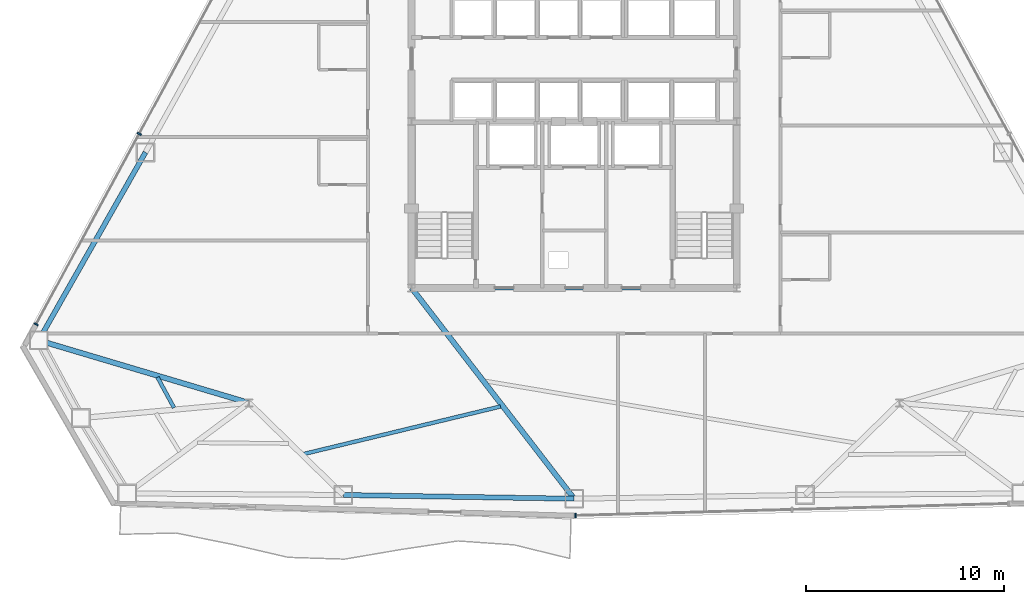
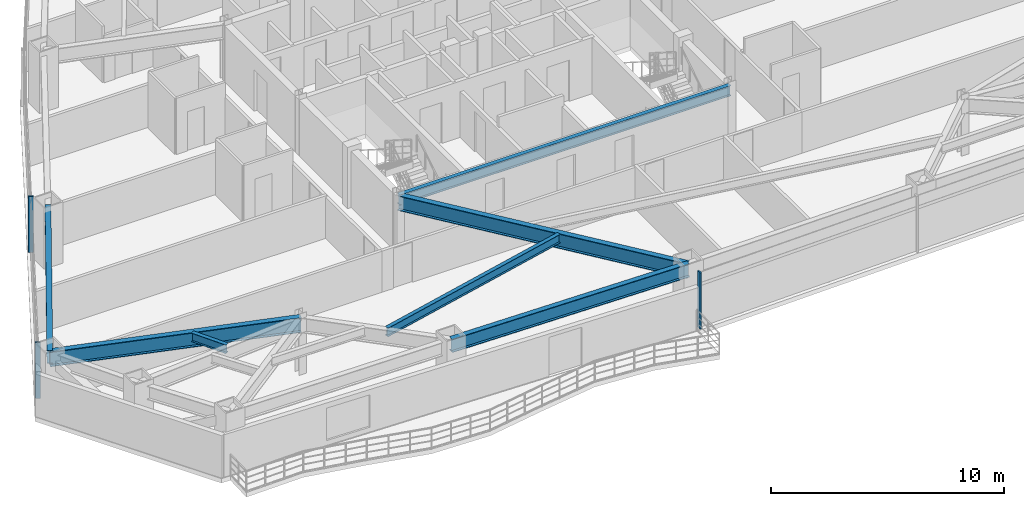
# One storey, part 4 of 13: 7 beams, 3 members, 2 elements without a shape of their own.
"""IFC4 building model written with IfcOpenShell, lengths in metres."""

from ifc_helpers import new_model, si_unit, direction, frame, origin, origin_2d, place, context, subcontext, project, spatial, rectangle, i_section, extrude, source, transform, mapped, material, layer, layer_set, material_profile, profile_set, type_object, type_shapes, element, aggregate, save


model = new_model("IFC4")

# Units and contexts
model_context = context("Model", 3, precision=1e-05, world=origin(), true_north=direction((0.0, 1.0)))
body_context = subcontext(model_context, "Body", "Model", "MODEL_VIEW")
ifc_project = project(units=[si_unit("LENGTHUNIT", "METRE"), si_unit("AREAUNIT", "SQUARE_METRE"), si_unit("VOLUMEUNIT", "CUBIC_METRE"), si_unit("PLANEANGLEUNIT", "RADIAN"), si_unit("MASSUNIT", "GRAM", prefix="KILO")], contexts=[model_context])

# Site, building, storey
site_placement = place(None, origin())
site = spatial("IfcSite", under=ifc_project, at=site_placement, CompositionType="ELEMENT")
building_placement = place(site_placement, origin())
building = spatial("IfcBuilding", under=site, at=building_placement, Name="Varakhsha Concourse Tower", CompositionType="ELEMENT")
storey_placement = place(building_placement, frame((0.0, 0.0, 108.60009765625)))
storey = spatial("IfcBuildingStorey", under=building, at=storey_placement, Name="L31", CompositionType="ELEMENT", Elevation=108.60009765625)

# Beams
ifc_material_1 = material(Name="Structural Steel ASTM A992 Grade 50", Category="steel")
ifc_material_profile_1 = material_profile(ifc_material_1, i_section(OverallWidth=0.26611328125, OverallDepth=0.779052734375, WebThickness=0.01708984375, FlangeThickness=0.030029296875, at=origin_2d()), Name="W30X148")
ifc_profile_set_1 = profile_set([ifc_material_profile_1], Name="Structural Steel ASTM A992 Grade 50")
beam_type_1 = type_object("IfcBeamType", Name="BM-BASE-W30X148", PredefinedType="USERDEFINED", material=ifc_profile_set_1)
beam_1_placement = place(storey_placement, frame((23.60009765625, 10.60009765625, 2.55029296875), z_axis=(-0.958430242981, 0.285326951653, 0.0), x_axis=(-0.285326951653, -0.958430242981, 0.0)))
element("IfcBeam", 1, at=beam_1_placement, inside=storey, type_object=beam_type_1, Name="L31 Radial Floor Girder 07", ObjectType="GIRDER", PredefinedType="USERDEFINED", context=body_context, shape_type="SweptSolid", body=[
    extrude(i_section(OverallWidth=0.26611328125, OverallDepth=0.779052734375, WebThickness=0.01708984375, FlangeThickness=0.030029296875, at=origin_2d()), origin(), (0.0, 0.0, 1.0), 11.064453125),
])
beam_2_placement = place(storey_placement, frame((31.800048828125, 16.39990234375, 2.55029296875), z_axis=(0.610756875682, -0.791818185449, 0.0), x_axis=(0.791818185449, 0.610756875682, 0.0)))
element("IfcBeam", 2, at=beam_2_placement, inside=storey, type_object=beam_type_1, Name="L31 Radial Floor Girder 11", ObjectType="GIRDER", PredefinedType="USERDEFINED", context=body_context, shape_type="SweptSolid", body=[
    extrude(i_section(OverallWidth=0.26611328125, OverallDepth=0.779052734375, WebThickness=0.01708984375, FlangeThickness=0.030029296875, at=origin_2d()), origin(), (0.0, 0.0, 1.0), 13.42578125),
])
ifc_material_profile_2 = material_profile(ifc_material_1, i_section(OverallWidth=0.19091796875, OverallDepth=0.45703125, WebThickness=0.009033203125, FlangeThickness=0.013916015625, at=origin_2d()), Name="W18X50")
ifc_profile_set_2 = profile_set([ifc_material_profile_2], Name="Structural Steel ASTM A992 Grade 50")
beam_type_2 = type_object("IfcBeamType", Name="BM-JST-W18X50", PredefinedType="JOIST", material=ifc_profile_set_2)
beam_3_placement = place(storey_placement, frame((18.986572265625, 11.892578125, 2.71142578125), z_axis=(0.476504295846, -0.879172142439, 0.0), x_axis=(0.879172142439, 0.476504295846, 0.0)))
element("IfcBeam", 3, at=beam_3_placement, inside=storey, type_object=beam_type_2, Name="BM-TJST-L31-07", PredefinedType="JOIST", context=body_context, shape_type="SweptSolid", body=[
    extrude(i_section(OverallWidth=0.19091796875, OverallDepth=0.45703125, WebThickness=0.009033203125, FlangeThickness=0.013916015625, at=origin_2d()), origin(), (0.0, 0.0, 1.0), 1.742431640625),
])
beam_4_placement = place(storey_placement, frame((26.37109375, 8.0263671875, 2.71142578125), z_axis=(0.972049063093, 0.234777807595, 0.0), x_axis=(-0.234777807595, 0.972049063093, 0.0)))
element("IfcBeam", 4, at=beam_4_placement, inside=storey, type_object=beam_type_2, Name="BM-TJST-L31-10", PredefinedType="JOIST", context=body_context, shape_type="SweptSolid", body=[
    extrude(i_section(OverallWidth=0.19091796875, OverallDepth=0.45703125, WebThickness=0.009033203125, FlangeThickness=0.013916015625, at=origin_2d()), origin(), (0.0, 0.0, 1.0), 10.19921875),
])
ifc_material_profile_3 = material_profile(ifc_material_1, i_section(OverallWidth=0.2109375, OverallDepth=0.5390625, WebThickness=0.011962890625, FlangeThickness=0.01904296875, at=origin_2d()), Name="W21X73")
ifc_profile_set_3 = profile_set([ifc_material_profile_3], Name="Structural Steel ASTM A992 Grade 50")
beam_type_3 = type_object("IfcBeamType", Name="BM-RAD-W21X73", PredefinedType="BEAM", material=ifc_profile_set_3)
beam_5_placement = place(storey_placement, frame((31.800048828125, 16.39990234375, 2.67041015625), z_axis=(1.0, 0.0, 0.0), x_axis=(0.0, 1.0, 0.0)))
element("IfcBeam", 5, at=beam_5_placement, inside=storey, type_object=beam_type_3, Name="BM-TCORE-L31-CS", PredefinedType="BEAM", context=body_context, shape_type="SweptSolid", body=[
    extrude(i_section(OverallWidth=0.2109375, OverallDepth=0.5390625, WebThickness=0.011962890625, FlangeThickness=0.01904296875, at=origin_2d()), origin(), (0.0, 0.0, 1.0), 16.39990234375),
])
ifc_material_profile_4 = material_profile(ifc_material_1, i_section(OverallWidth=0.25390625, OverallDepth=0.701904296875, WebThickness=0.014892578125, FlangeThickness=0.028076171875, at=origin_2d()), Name="W27X129")
ifc_profile_set_4 = profile_set([ifc_material_profile_4], Name="Structural Steel ASTM A992 Grade 50")
beam_type_4 = type_object("IfcBeamType", Name="BM-SPAN-W27X129", PredefinedType="SPANDREL", material=ifc_profile_set_4)
beam_6_placement = place(storey_placement, frame((18.380615234375, 23.238037109375, 2.5888671875), z_axis=(-0.49387783637, -0.869531300611, 0.0), x_axis=(0.869531300611, -0.49387783637, 0.0)))
element("IfcBeam", 6, at=beam_6_placement, inside=storey, type_object=beam_type_4, Name="BM-SPAN-L31-06", PredefinedType="SPANDREL", context=body_context, shape_type="SweptSolid", body=[
    extrude(i_section(OverallWidth=0.25390625, OverallDepth=0.701904296875, WebThickness=0.014892578125, FlangeThickness=0.028076171875, at=origin_2d()), origin(), (0.0, 0.0, 1.0), 10.903564453125),
])
beam_7_placement = place(storey_placement, frame((28.357177734375, 5.958251953125, 2.5888671875), z_axis=(0.999867976584, -0.016248981565, 0.0), x_axis=(0.016248981565, 0.999867976584, 0.0)))
element("IfcBeam", 7, at=beam_7_placement, inside=storey, type_object=beam_type_4, Name="BM-SPAN-L31-10", PredefinedType="SPANDREL", context=body_context, shape_type="SweptSolid", body=[
    extrude(i_section(OverallWidth=0.25390625, OverallDepth=0.701904296875, WebThickness=0.014892578125, FlangeThickness=0.028076171875, at=origin_2d()), origin(), (0.0, 0.0, 1.0), 11.644287109375),
])

# Curtain wall, members
ifc_material_2 = material(Name="Anodised Bronze Architectural Aluminium AA 6063-T6", Category="aluminium")
ifc_layer = layer(ifc_material_2, 0.199951171875, Name="CW-SYS-03")
ifc_layer_set = layer_set([ifc_layer], Name="Anodised Bronze Architectural Aluminium AA 6063-T6")
curtain_wall_type = type_object("IfcCurtainWallType", Name="CW-SYS-03", PredefinedType="NOTDEFINED", material=ifc_layer_set)
curtain_wall_1_placement = place(storey_placement, origin())
curtain_wall_1 = element("IfcCurtainWall", 8, at=curtain_wall_1_placement, inside=storey, type_object=curtain_wall_type, Name="L31 Crystal Curtain Wall F3", PredefinedType="NOTDEFINED")
ifc_material_profile_5 = material_profile(ifc_material_2, rectangle(XDim=0.074951171875, YDim=0.219970703125, at=origin_2d()), Name="CWM-220X75")
ifc_profile_set_5 = profile_set([ifc_material_profile_5], Name="Anodised Bronze Architectural Aluminium AA 6063-T6")
member_type = type_object("IfcMemberType", Name="CWM-220X75", PredefinedType="MULLION", material=ifc_profile_set_5)
shared_shape = source(origin(), body_context, "Body", "SweptSolid", [
    extrude(rectangle(XDim=0.074951171875, YDim=0.219970703125, at=origin_2d()), origin(), (0.0, 0.0, 1.0), 2.93994140625),
])
type_shapes(member_type, [shared_shape])
member_1_placement = place(storey_placement, frame((12.8681640625, 14.56494140625, 0.0), z_axis=(0.0, 0.0, 1.0), x_axis=(0.475958864887, 0.879467542855, 0.0)))
member_1 = element("IfcMember", 9, at=member_1_placement, type_object=member_type, Name="CW-L31-F3 Mullion 00", PredefinedType="MULLION", context=body_context, shape_type="MappedRepresentation", body=[
    mapped(shared_shape, transform((0.0, 0.0, 0.0), scale=1.0)),
])
member_2_placement = place(storey_placement, frame((18.06640625, 24.169921875, 0.0), z_axis=(0.0, 0.0, 1.0), x_axis=(0.475958864887, 0.879467542855, 0.0)))
member_2 = element("IfcMember", 10, at=member_2_placement, type_object=member_type, Name="CW-L31-F3 Mullion 01", PredefinedType="MULLION", context=body_context, shape_type="MappedRepresentation", body=[
    mapped(shared_shape, transform((0.0, 0.0, 0.0), scale=1.0)),
])
aggregate(curtain_wall_1, [member_1, member_2])

# Curtain wall, member
curtain_wall_2_placement = place(storey_placement, origin())
curtain_wall_2 = element("IfcCurtainWall", 11, at=curtain_wall_2_placement, inside=storey, type_object=curtain_wall_type, Name="L31 Crystal Curtain Wall F6", PredefinedType="NOTDEFINED")
member_3_placement = place(storey_placement, frame((40.07568359375, 4.919189453125, 0.0), z_axis=(0.0, 0.0, 1.0), x_axis=(-0.99962052214, -0.02754653728, 0.0)))
member_3 = element("IfcMember", 12, at=member_3_placement, type_object=member_type, Name="CW-L31-F6 Mullion 02", PredefinedType="MULLION", context=body_context, shape_type="MappedRepresentation", body=[
    mapped(shared_shape, transform((0.0, 0.0, 0.0), scale=1.0)),
])
aggregate(curtain_wall_2, [member_3])

save(model, "model.ifc")
